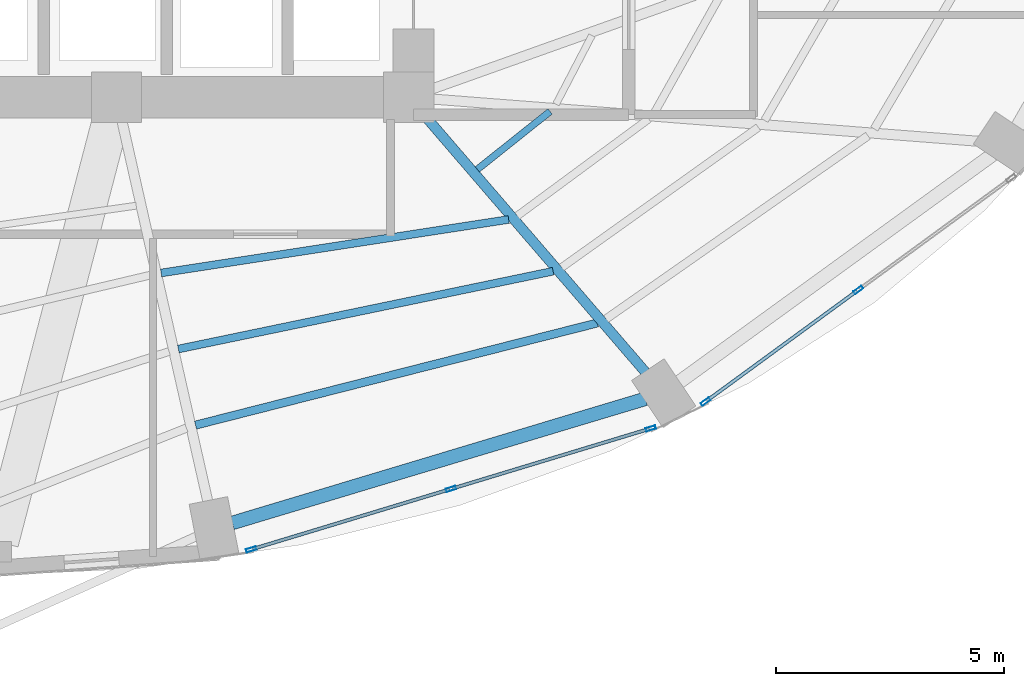
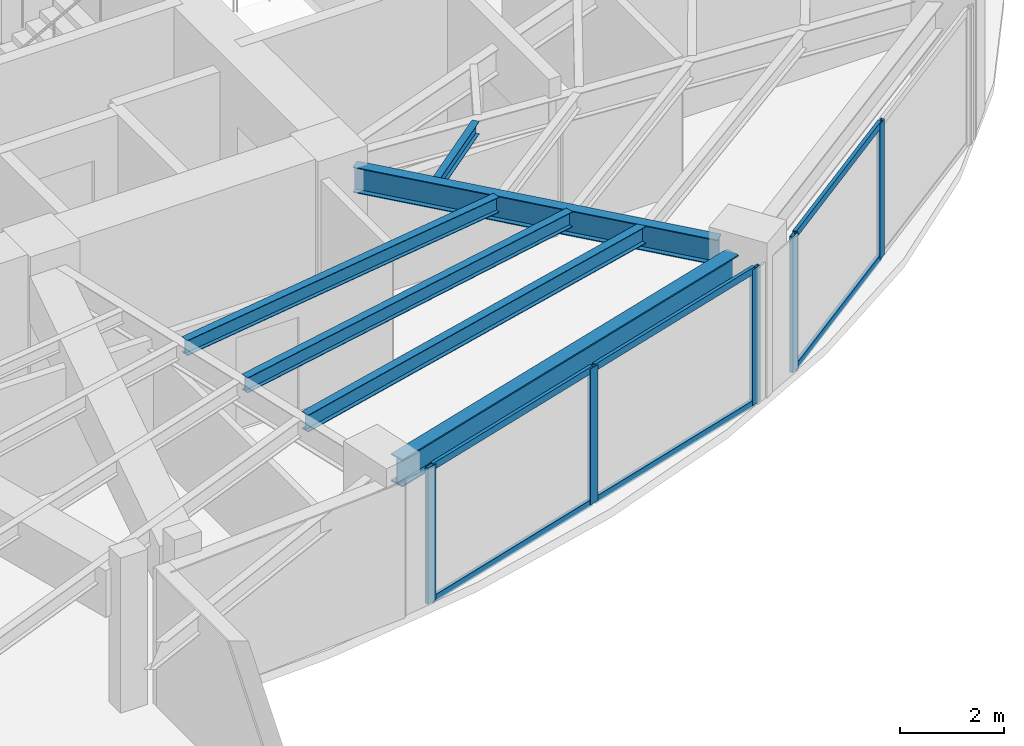
# One storey, part 9 of 24: 11 members, 6 beams, 2 elements without a shape of their own.
"""IFC4 building model written with IfcOpenShell, lengths in metres."""

from ifc_helpers import new_model, si_unit, direction, frame, origin, origin_2d, place, context, subcontext, project, spatial, hollow_rectangle, i_section, extrude, material, layer, layer_set, material_profile, profile_set, type_object, element, aggregate, save


model = new_model("IFC4")

# Units and contexts
model_context = context("Model", 3, precision=1e-05, world=origin(), true_north=direction((0.0, 1.0)))
body_context = subcontext(model_context, "Body", "Model", "MODEL_VIEW")
ifc_project = project(units=[si_unit("LENGTHUNIT", "METRE"), si_unit("AREAUNIT", "SQUARE_METRE"), si_unit("VOLUMEUNIT", "CUBIC_METRE"), si_unit("PLANEANGLEUNIT", "RADIAN"), si_unit("MASSUNIT", "GRAM", prefix="KILO")], contexts=[model_context])

# Site, building, storey
site_placement = place(None, origin())
site = spatial("IfcSite", under=ifc_project, at=site_placement, CompositionType="ELEMENT")
building_placement = place(site_placement, origin())
building = spatial("IfcBuilding", under=site, at=building_placement, Name="Lazwardi Medical Tower", CompositionType="ELEMENT")
storey_placement = place(building_placement, frame((0.0, 0.0, 72.6240234375)))
storey = spatial("IfcBuildingStorey", under=building, at=storey_placement, Name="L18", CompositionType="ELEMENT", Elevation=72.6240234375)

# Beams
ifc_material_1 = material(Name="Steel S355", Category="steel")
ifc_material_profile_1 = material_profile(ifc_material_1, i_section(OverallWidth=0.300048828125, OverallDepth=0.64990234375, WebThickness=0.01611328125, FlangeThickness=0.031005859375, at=origin_2d()), Name="HEB 650")
ifc_profile_set_1 = profile_set([ifc_material_profile_1], Name="Steel S355")
beam_type_1 = type_object("IfcBeamType", Name="BM-RB-Z1", PredefinedType="BEAM", material=ifc_profile_set_1)
beam_1_placement = place(storey_placement, frame((41.73291015625, 11.076904296875, 2.873046875), z_axis=(0.957695289269, 0.287784177662, 0.0), x_axis=(-0.287784177662, 0.957695289269, 0.0)))
element("IfcBeam", 1, at=beam_1_placement, inside=storey, type_object=beam_type_1, Name="Ring beam RB-02 B01 L18", PredefinedType="BEAM", context=body_context, shape_type="SweptSolid", body=[
    extrude(i_section(OverallWidth=0.300048828125, OverallDepth=0.64990234375, WebThickness=0.01611328125, FlangeThickness=0.031005859375, at=origin_2d()), origin(), (0.0, 0.0, 1.0), 9.445556640625),
])
ifc_material_profile_2 = material_profile(ifc_material_1, i_section(OverallWidth=0.219970703125, OverallDepth=0.60009765625, WebThickness=0.011962890625, FlangeThickness=0.01904296875, at=origin_2d()), Name="IPE 600")
ifc_profile_set_2 = profile_set([ifc_material_profile_2], Name="Steel S355")
beam_type_2 = type_object("IfcBeamType", Name="BM-RG-W1", PredefinedType="BEAM", material=ifc_profile_set_2)
beam_2_placement = place(storey_placement, frame((50.802490234375, 14.355712890625, 2.89794921875), z_axis=(-0.652368190463, 0.757902199543, 0.0), x_axis=(-0.757902199543, -0.652368190463, 0.0)))
element("IfcBeam", 2, at=beam_2_placement, inside=storey, type_object=beam_type_2, Name="Radial girder RG-02 R02 L18", PredefinedType="BEAM", context=body_context, shape_type="SweptSolid", body=[
    extrude(i_section(OverallWidth=0.219970703125, OverallDepth=0.60009765625, WebThickness=0.011962890625, FlangeThickness=0.01904296875, at=origin_2d()), origin(), (0.0, 0.0, 1.0), 7.43994140625),
])
ifc_material_profile_3 = material_profile(ifc_material_1, i_section(OverallWidth=0.179931640625, OverallDepth=0.39990234375, WebThickness=0.008544921875, FlangeThickness=0.013427734375, at=origin_2d()), Name="IPE 400")
ifc_profile_set_3 = profile_set([ifc_material_profile_3], Name="Steel S355")
beam_type_3 = type_object("IfcBeamType", Name="BM-SJ-01", PredefinedType="JOIST", material=ifc_profile_set_3)
beam_3_placement = place(storey_placement, frame((40.927734375, 13.218994140625, 2.998046875), z_axis=(0.969151012048, 0.246467677081, 0.0), x_axis=(-0.246467677081, 0.969151012048, 0.0)))
element("IfcBeam", 3, at=beam_3_placement, inside=storey, type_object=beam_type_3, Name="Secondary joist SJ-01 R1 B01 L18", PredefinedType="JOIST", context=body_context, shape_type="SweptSolid", body=[
    extrude(i_section(OverallWidth=0.179931640625, OverallDepth=0.39990234375, WebThickness=0.008544921875, FlangeThickness=0.013427734375, at=origin_2d()), origin(), (0.0, 0.0, 1.0), 9.08251953125),
])
ifc_material_profile_4 = material_profile(ifc_material_1, i_section(OverallWidth=0.169921875, OverallDepth=0.360107421875, WebThickness=0.008056640625, FlangeThickness=0.0126953125, at=origin_2d()), Name="IPE 360")
ifc_profile_set_4 = profile_set([ifc_material_profile_4], Name="Steel S355")
beam_type_4 = type_object("IfcBeamType", Name="BM-SJ-02", PredefinedType="JOIST", material=ifc_profile_set_4)
beam_4_placement = place(storey_placement, frame((40.5517578125, 14.885498046875, 3.01806640625), z_axis=(0.979107693723, 0.203342381445, 0.0), x_axis=(-0.203342381445, 0.979107693723, 0.0)))
element("IfcBeam", 4, at=beam_4_placement, inside=storey, type_object=beam_type_4, Name="Secondary joist SJ-02 R2 B01 L18", PredefinedType="JOIST", context=body_context, shape_type="SweptSolid", body=[
    extrude(i_section(OverallWidth=0.169921875, OverallDepth=0.360107421875, WebThickness=0.008056640625, FlangeThickness=0.0126953125, at=origin_2d()), origin(), (0.0, 0.0, 1.0), 8.381591796875),
])
beam_5_placement = place(storey_placement, frame((40.175537109375, 16.551513671875, 3.01806640625), z_axis=(0.988362899594, 0.152114360618, 0.0), x_axis=(-0.152114360618, 0.988362899594, 0.0)))
element("IfcBeam", 5, at=beam_5_placement, inside=storey, type_object=beam_type_4, Name="Secondary joist SJ-02 R3 B01 L18", PredefinedType="JOIST", context=body_context, shape_type="SweptSolid", body=[
    extrude(i_section(OverallWidth=0.169921875, OverallDepth=0.360107421875, WebThickness=0.008056640625, FlangeThickness=0.0126953125, at=origin_2d()), origin(), (0.0, 0.0, 1.0), 7.70068359375),
])
ifc_material_profile_5 = material_profile(ifc_material_1, i_section(OverallWidth=0.14990234375, OverallDepth=0.300048828125, WebThickness=0.007080078125, FlangeThickness=0.0107421875, at=origin_2d()), Name="IPE 300")
ifc_profile_set_5 = profile_set([ifc_material_profile_5], Name="Steel S355")
beam_type_5 = type_object("IfcBeamType", Name="BM-SJ-03", PredefinedType="JOIST", material=ifc_profile_set_5)
beam_6_placement = place(storey_placement, frame((47.098876953125, 18.8193359375, 3.048095703125), z_axis=(0.782210957226, 0.623013658274, 0.0), x_axis=(-0.623013658274, 0.782210957226, 0.0)))
element("IfcBeam", 6, at=beam_6_placement, inside=storey, type_object=beam_type_5, Name="Secondary joist SJ-03 R4 B02 L18", PredefinedType="JOIST", context=body_context, shape_type="SweptSolid", body=[
    extrude(i_section(OverallWidth=0.14990234375, OverallDepth=0.300048828125, WebThickness=0.007080078125, FlangeThickness=0.0107421875, at=origin_2d()), origin(), (0.0, 0.0, 1.0), 2.0380859375),
])

# Curtain wall, members
ifc_material_2 = material(Name="Anodised bronze aluminium and solar control glazing", Category="aluminium")
ifc_layer = layer(ifc_material_2, 0.199951171875)
ifc_layer_set = layer_set([ifc_layer], Name="Anodised bronze aluminium and solar control glazing")
curtain_wall_type = type_object("IfcCurtainWallType", Name="CW-SYS-02", PredefinedType="NOTDEFINED", material=ifc_layer_set)
curtain_wall_1_placement = place(storey_placement, origin())
curtain_wall_1 = element("IfcCurtainWall", 7, at=curtain_wall_1_placement, inside=storey, type_object=curtain_wall_type, Name="L18 Unitised bronze curtain wall CW-02", PredefinedType="NOTDEFINED")
ifc_material_3 = material(Name="Anodised bronze aluminium", Category="aluminium")
ifc_material_profile_6 = material_profile(ifc_material_3, hollow_rectangle(XDim=0.074951171875, YDim=0.219970703125, WallThickness=0.00390625, at=origin_2d()), Name="ALU-MULLION 220x75x4")
ifc_profile_set_6 = profile_set([ifc_material_profile_6], Name="Anodised bronze aluminium")
member_type_1 = type_object("IfcMemberType", Name="CW-MUL-01", PredefinedType="MULLION", material=ifc_profile_set_6)
member_1_placement = place(storey_placement, frame((42.14794921875, 10.496337890625, 0.0), z_axis=(0.0, 0.0, 1.0), x_axis=(-0.2898956909, 0.957058247129, 0.0)))
member_1 = element("IfcMember", 8, at=member_1_placement, type_object=member_type_1, Name="CW-02 mullion 1", PredefinedType="MULLION", context=body_context, shape_type="SweptSolid", body=[
    extrude(hollow_rectangle(XDim=0.074951171875, YDim=0.219970703125, WallThickness=0.00390625, at=origin_2d()), origin(), (0.0, 0.0, 1.0), 3.197998046875),
])
member_2_placement = place(storey_placement, frame((46.523193359375, 11.821533203125, 0.0), z_axis=(0.0, 0.0, 1.0), x_axis=(-0.2898956909, 0.957058247129, 0.0)))
member_2 = element("IfcMember", 9, at=member_2_placement, type_object=member_type_1, Name="CW-02 mullion 2", PredefinedType="MULLION", context=body_context, shape_type="SweptSolid", body=[
    extrude(hollow_rectangle(XDim=0.074951171875, YDim=0.219970703125, WallThickness=0.00390625, at=origin_2d()), origin(), (0.0, 0.0, 1.0), 3.197998046875),
])
member_3_placement = place(storey_placement, frame((50.8984375, 13.146728515625, 0.0), z_axis=(0.0, 0.0, 1.0), x_axis=(-0.2898956909, 0.957058247129, 0.0)))
member_3 = element("IfcMember", 10, at=member_3_placement, type_object=member_type_1, Name="CW-02 mullion 3", PredefinedType="MULLION", context=body_context, shape_type="SweptSolid", body=[
    extrude(hollow_rectangle(XDim=0.074951171875, YDim=0.219970703125, WallThickness=0.00390625, at=origin_2d()), origin(), (0.0, 0.0, 1.0), 3.197998046875),
])

curtain_wall_2_placement = place(storey_placement, origin())
curtain_wall_2 = element("IfcCurtainWall", 11, at=curtain_wall_2_placement, inside=storey, type_object=curtain_wall_type, Name="L18 Unitised bronze curtain wall CW-02", PredefinedType="NOTDEFINED")
member_4_placement = place(storey_placement, frame((52.0986328125, 13.73388671875, 0.0), z_axis=(0.0, 0.0, 1.0), x_axis=(-0.590289307341, 0.807191757663, 0.0)))
member_4 = element("IfcMember", 12, at=member_4_placement, type_object=member_type_1, Name="CW-02 mullion 1", PredefinedType="MULLION", context=body_context, shape_type="SweptSolid", body=[
    extrude(hollow_rectangle(XDim=0.074951171875, YDim=0.219970703125, WallThickness=0.00390625, at=origin_2d()), origin(), (0.0, 0.0, 1.0), 3.197998046875),
])
member_5_placement = place(storey_placement, frame((55.4443359375, 16.1806640625, 0.0), z_axis=(0.0, 0.0, 1.0), x_axis=(-0.590289307341, 0.807191757663, 0.0)))
member_5 = element("IfcMember", 13, at=member_5_placement, type_object=member_type_1, Name="CW-02 mullion 2", PredefinedType="MULLION", context=body_context, shape_type="SweptSolid", body=[
    extrude(hollow_rectangle(XDim=0.074951171875, YDim=0.219970703125, WallThickness=0.00390625, at=origin_2d()), origin(), (0.0, 0.0, 1.0), 3.197998046875),
])

# Member
ifc_material_profile_7 = material_profile(ifc_material_3, hollow_rectangle(XDim=0.074951171875, YDim=0.159912109375, WallThickness=0.00390625, at=origin_2d()), Name="ALU-TRANSOM 160x75x4")
ifc_profile_set_7 = profile_set([ifc_material_profile_7], Name="Anodised bronze aluminium")
member_type_2 = type_object("IfcMemberType", Name="CW-TRN-01", PredefinedType="USERDEFINED", material=ifc_profile_set_7)
member_6_placement = place(storey_placement, frame((42.183837890625, 10.507080078125, 0.03759765625), z_axis=(0.957047233423, 0.28993204893, 0.0), x_axis=(-0.28993204893, 0.957047233423, 0.0)))
member_6 = element("IfcMember", 14, at=member_6_placement, type_object=member_type_2, Name="CW-02 transom 1.1", ObjectType="TRANSOM", PredefinedType="USERDEFINED", context=body_context, shape_type="SweptSolid", body=[
    extrude(hollow_rectangle(XDim=0.074951171875, YDim=0.159912109375, WallThickness=0.00390625, at=origin_2d()), origin(), (0.0, 0.0, 1.0), 4.49658203125),
])

member_7_placement = place(storey_placement, frame((42.183837890625, 10.507080078125, 3.160400390625), z_axis=(0.957047233423, 0.28993204893, 0.0), x_axis=(-0.28993204893, 0.957047233423, 0.0)))
member_7 = element("IfcMember", 15, at=member_7_placement, type_object=member_type_2, Name="CW-02 transom 1.2", ObjectType="TRANSOM", PredefinedType="USERDEFINED", context=body_context, shape_type="SweptSolid", body=[
    extrude(hollow_rectangle(XDim=0.074951171875, YDim=0.159912109375, WallThickness=0.00390625, at=origin_2d()), origin(), (0.0, 0.0, 1.0), 4.49658203125),
])

member_8_placement = place(storey_placement, frame((46.55908203125, 11.83251953125, 0.03759765625), z_axis=(0.957062297904, 0.289882317383, 0.0), x_axis=(-0.289882317383, 0.957062297904, 0.0)))
member_8 = element("IfcMember", 16, at=member_8_placement, type_object=member_type_2, Name="CW-02 transom 2.1", ObjectType="TRANSOM", PredefinedType="USERDEFINED", context=body_context, shape_type="SweptSolid", body=[
    extrude(hollow_rectangle(XDim=0.074951171875, YDim=0.159912109375, WallThickness=0.00390625, at=origin_2d()), origin(), (0.0, 0.0, 1.0), 4.49658203125),
])

member_9_placement = place(storey_placement, frame((46.55908203125, 11.83251953125, 3.160400390625), z_axis=(0.957062297904, 0.289882317383, 0.0), x_axis=(-0.289882317383, 0.957062297904, 0.0)))
member_9 = element("IfcMember", 17, at=member_9_placement, type_object=member_type_2, Name="CW-02 transom 2.2", ObjectType="TRANSOM", PredefinedType="USERDEFINED", context=body_context, shape_type="SweptSolid", body=[
    extrude(hollow_rectangle(XDim=0.074951171875, YDim=0.159912109375, WallThickness=0.00390625, at=origin_2d()), origin(), (0.0, 0.0, 1.0), 4.49658203125),
])

aggregate(curtain_wall_1, [member_1, member_2, member_3, member_6, member_7, member_8, member_9])

member_10_placement = place(storey_placement, frame((52.12890625, 13.756103515625, 0.03759765625), z_axis=(0.807197636578, 0.590281268128, 0.0), x_axis=(-0.590281268128, 0.807197636578, 0.0)))
member_10 = element("IfcMember", 18, at=member_10_placement, type_object=member_type_2, Name="CW-02 transom 1.1", ObjectType="TRANSOM", PredefinedType="USERDEFINED", context=body_context, shape_type="SweptSolid", body=[
    extrude(hollow_rectangle(XDim=0.074951171875, YDim=0.159912109375, WallThickness=0.00390625, at=origin_2d()), origin(), (0.0, 0.0, 1.0), 4.06982421875),
])

member_11_placement = place(storey_placement, frame((52.12890625, 13.756103515625, 3.160400390625), z_axis=(0.807197636578, 0.590281268128, 0.0), x_axis=(-0.590281268128, 0.807197636578, 0.0)))
member_11 = element("IfcMember", 19, at=member_11_placement, type_object=member_type_2, Name="CW-02 transom 1.2", ObjectType="TRANSOM", PredefinedType="USERDEFINED", context=body_context, shape_type="SweptSolid", body=[
    extrude(hollow_rectangle(XDim=0.074951171875, YDim=0.159912109375, WallThickness=0.00390625, at=origin_2d()), origin(), (0.0, 0.0, 1.0), 4.06982421875),
])

aggregate(curtain_wall_2, [member_4, member_5, member_10, member_11])

save(model, "model.ifc")
